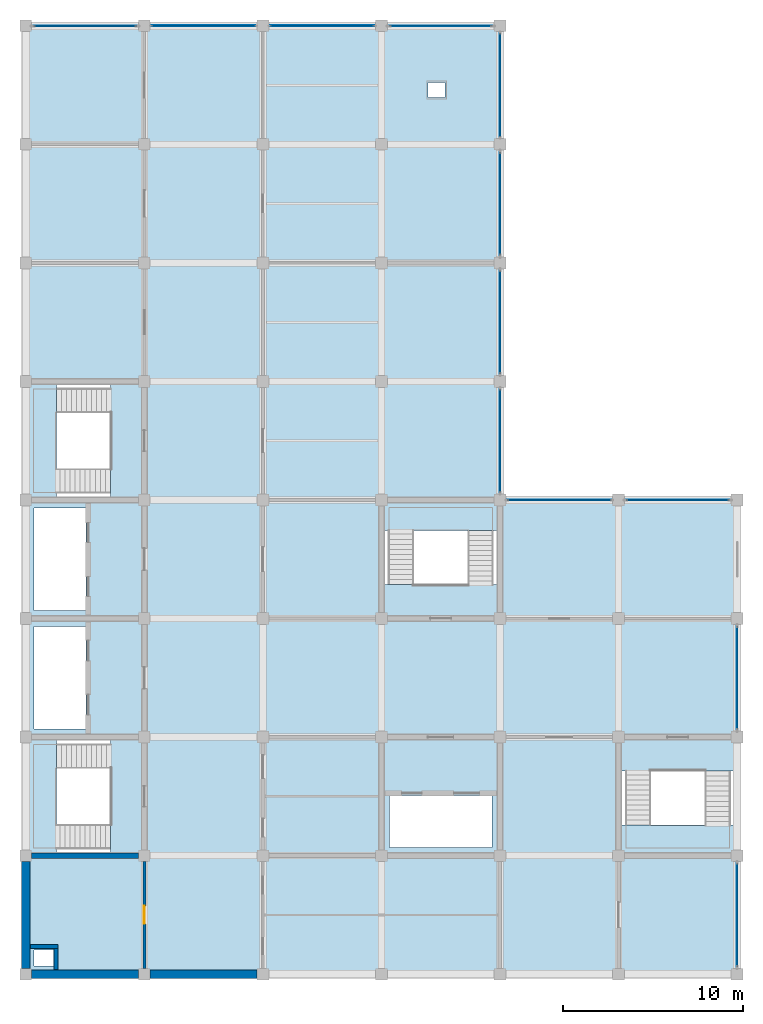
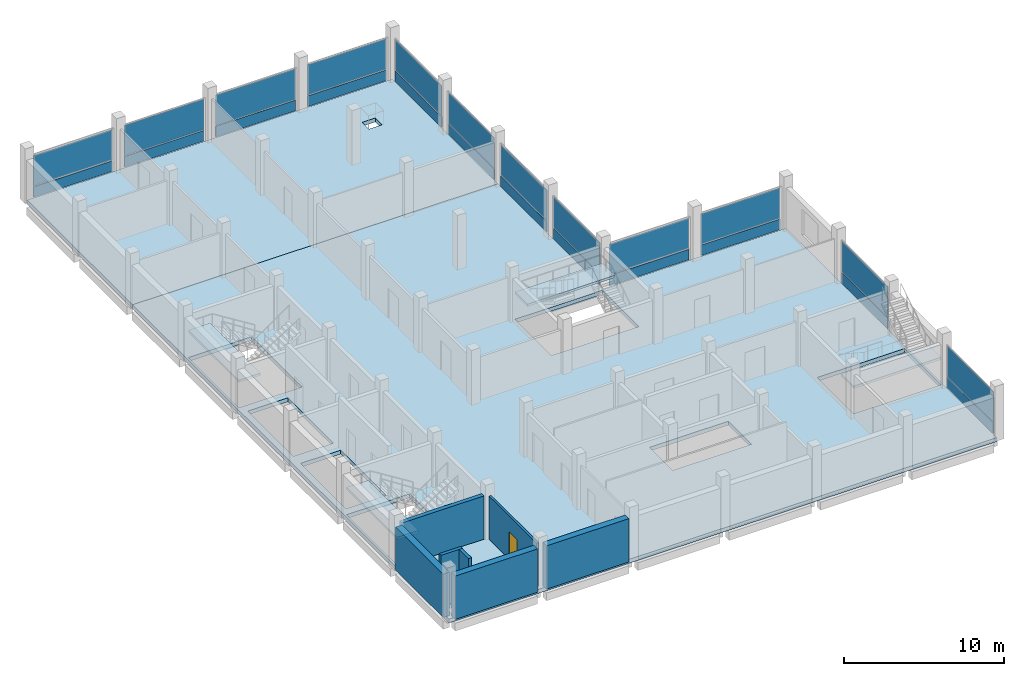
# One storey, part 5 of 9: 24 plates, 7 walls, 6 slabs, 1 door, 1 opening, 16 elements without a shape of their own.
"""IFC4 building model written with IfcOpenShell, lengths in metres."""

from ifc_helpers import new_model, si_unit, direction, frame, frame_2d, origin, origin_2d, place, context, subcontext, project, spatial, polyline, rectangle, outline, extrude, material, layer, layer_set, type_object, element, fill, aggregate, save


model = new_model("IFC4")

# Units and contexts
model_context = context("Model", 3, precision=1e-05, world=origin(), true_north=direction((0.0, 1.0)))
body_context = subcontext(model_context, "Body", "Model", "MODEL_VIEW")
ifc_project = project(units=[si_unit("LENGTHUNIT", "METRE"), si_unit("AREAUNIT", "SQUARE_METRE"), si_unit("VOLUMEUNIT", "CUBIC_METRE"), si_unit("PLANEANGLEUNIT", "RADIAN"), si_unit("MASSUNIT", "GRAM", prefix="KILO")], contexts=[model_context])

# Site, building, storey
site_placement = place(None, origin())
site = spatial("IfcSite", under=ifc_project, at=site_placement, CompositionType="ELEMENT")
building_placement = place(site_placement, origin())
building = spatial("IfcBuilding", under=site, at=building_placement, Name="Rusizi Kubbe Research Institute", CompositionType="ELEMENT")
storey_placement = place(building_placement, frame((0.0, 0.0, 60.60009765625)))
storey = spatial("IfcBuildingStorey", under=building, at=storey_placement, Name="L14", CompositionType="ELEMENT", Elevation=60.60009765625)

# Curtain wall, plate
ifc_material_1 = material(Name="Thermally Broken Aluminium and Low-E Glazing", Category="aluminium")
curtain_wall_type = type_object("IfcCurtainWallType", Name="CW-16", PredefinedType="NOTDEFINED", material=ifc_material_1)
curtain_wall_1_placement = place(storey_placement, origin())
curtain_wall_1 = element("IfcCurtainWall", 1, at=curtain_wall_1_placement, inside=storey, type_object=curtain_wall_type, Name="Unitised Facade Curtain Wall CW-L14-V-04-06", PredefinedType="NOTDEFINED")
ifc_material_2 = material(Name="Double Low-E Solar Control Insulated Glass", Category="glass")
ifc_layer_1 = layer(ifc_material_2, 0.02392578125)
ifc_layer_set_1 = layer_set([ifc_layer_1], Name="Double Low-E Solar Control Insulated Glass")
plate_type_1 = type_object("IfcPlateType", Name="GL-01", PredefinedType="CURTAIN_PANEL", material=ifc_layer_set_1)
plate_1_placement = place(storey_placement, frame((26.39990234375, 42.89990234375, 0.9296875), z_axis=(0.0, 0.0, 1.0), x_axis=(0.0, 1.0, 0.0)))
plate_1 = element("IfcPlate", 2, at=plate_1_placement, type_object=plate_type_1, Name="CW-16 panel 1.2", PredefinedType="CURTAIN_PANEL", context=body_context, shape_type="SweptSolid", body=[
    extrude(rectangle(XDim=5.739990234375, YDim=0.02392578125, at=origin_2d()), origin(), (0.0, 0.0, 1.0), 2.320068359375),
])

curtain_wall_2_placement = place(storey_placement, origin())
curtain_wall_2 = element("IfcCurtainWall", 3, at=curtain_wall_2_placement, inside=storey, type_object=curtain_wall_type, Name="Unitised Facade Curtain Wall CW-L14-H-03-08", PredefinedType="NOTDEFINED")
ifc_material_3 = material(Name="Double Low-E Solar Control Insulated Glass", Category="glass")
ifc_layer_2 = layer(ifc_material_3, 0.028076171875)
ifc_layer_set_2 = layer_set([ifc_layer_2], Name="Double Low-E Solar Control Insulated Glass")
plate_type_2 = type_object("IfcPlateType", Name="GL-02", PredefinedType="CURTAIN_PANEL", material=ifc_layer_set_2)
plate_2_placement = place(storey_placement, frame((23.10009765625, 52.800048828125, 0.9296875), z_axis=(0.0, 0.0, 1.0), x_axis=(1.0, 0.0, 0.0)))
plate_2 = element("IfcPlate", 4, at=plate_2_placement, type_object=plate_type_2, Name="CW-16 panel 1.2", PredefinedType="CURTAIN_PANEL", context=body_context, shape_type="SweptSolid", body=[
    extrude(rectangle(XDim=5.72998046875, YDim=0.028076171875, at=origin_2d()), origin(), (0.0, 0.0, 1.0), 2.320068359375),
])

curtain_wall_3_placement = place(storey_placement, origin())
curtain_wall_3 = element("IfcCurtainWall", 5, at=curtain_wall_3_placement, inside=storey, type_object=curtain_wall_type, Name="Unitised Facade Curtain Wall CW-L14-V-04-07", PredefinedType="NOTDEFINED")
ifc_material_4 = material(Name="Double Low-E Solar Control Insulated Glass", Category="glass")
ifc_layer_3 = layer(ifc_material_4, 0.031982421875)
ifc_layer_set_3 = layer_set([ifc_layer_3], Name="Double Low-E Solar Control Insulated Glass")
plate_type_3 = type_object("IfcPlateType", Name="GL-03", PredefinedType="CURTAIN_PANEL", material=ifc_layer_set_3)
plate_3_placement = place(storey_placement, frame((26.39990234375, 49.5, 0.932373046875), z_axis=(0.0, 0.0, 1.0), x_axis=(0.0, 1.0, 0.0)))
plate_3 = element("IfcPlate", 6, at=plate_3_placement, type_object=plate_type_3, Name="CW-16 panel 1.2", PredefinedType="CURTAIN_PANEL", context=body_context, shape_type="SweptSolid", body=[
    extrude(rectangle(XDim=5.77001953125, YDim=0.031982421875, at=origin_2d()), origin(), (0.0, 0.0, 1.0), 2.3125),
])

curtain_wall_4_placement = place(storey_placement, origin())
curtain_wall_4 = element("IfcCurtainWall", 7, at=curtain_wall_4_placement, inside=storey, type_object=curtain_wall_type, Name="Unitised Facade Curtain Wall CW-L14-H-00-08", PredefinedType="NOTDEFINED")
ifc_material_5 = material(Name="Double Low-E Solar Control Insulated Glass", Category="glass")
ifc_layer_4 = layer(ifc_material_5, 0.035888671875)
ifc_layer_set_4 = layer_set([ifc_layer_4], Name="Double Low-E Solar Control Insulated Glass")
plate_type_4 = type_object("IfcPlateType", Name="GL-04", PredefinedType="CURTAIN_PANEL", material=ifc_layer_set_4)
plate_4_placement = place(storey_placement, frame((3.300048828125, 52.800048828125, 0.93505859375), z_axis=(0.0, 0.0, 1.0), x_axis=(1.0, 0.0, 0.0)))
plate_4 = element("IfcPlate", 8, at=plate_4_placement, type_object=plate_type_4, Name="CW-16 panel 1.2", PredefinedType="CURTAIN_PANEL", context=body_context, shape_type="SweptSolid", body=[
    extrude(rectangle(XDim=5.72998046875, YDim=0.035888671875, at=origin_2d()), origin(), (0.0, 0.0, 1.0), 2.304931640625),
])

curtain_wall_5_placement = place(storey_placement, origin())
curtain_wall_5 = element("IfcCurtainWall", 9, at=curtain_wall_5_placement, inside=storey, type_object=curtain_wall_type, Name="Unitised Facade Curtain Wall CW-L14-H-04-04", PredefinedType="NOTDEFINED")
plate_5_placement = place(storey_placement, frame((29.699951171875, 26.39990234375, 0.93505859375), z_axis=(0.0, 0.0, 1.0), x_axis=(1.0, 0.0, 0.0)))
plate_5 = element("IfcPlate", 10, at=plate_5_placement, type_object=plate_type_4, Name="CW-16 panel 1.2", PredefinedType="CURTAIN_PANEL", context=body_context, shape_type="SweptSolid", body=[
    extrude(rectangle(XDim=5.77001953125, YDim=0.035888671875, at=origin_2d()), origin(), (0.0, 0.0, 1.0), 2.304931640625),
])

curtain_wall_6_placement = place(storey_placement, origin())
curtain_wall_6 = element("IfcCurtainWall", 11, at=curtain_wall_6_placement, inside=storey, type_object=curtain_wall_type, Name="Unitised Facade Curtain Wall CW-L14-H-01-08", PredefinedType="NOTDEFINED")
ifc_material_6 = material(Name="Double Low-E Solar Control Insulated Glass", Category="glass")
ifc_layer_5 = layer(ifc_material_6, 0.0400390625)
ifc_layer_set_5 = layer_set([ifc_layer_5], Name="Double Low-E Solar Control Insulated Glass")
plate_type_5 = type_object("IfcPlateType", Name="GL-05", PredefinedType="CURTAIN_PANEL", material=ifc_layer_set_5)
plate_6_placement = place(storey_placement, frame((9.89990234375, 52.800048828125, 0.9296875), z_axis=(0.0, 0.0, 1.0), x_axis=(1.0, 0.0, 0.0)))
plate_6 = element("IfcPlate", 12, at=plate_6_placement, type_object=plate_type_5, Name="CW-16 panel 1.2", PredefinedType="CURTAIN_PANEL", context=body_context, shape_type="SweptSolid", body=[
    extrude(rectangle(XDim=5.77001953125, YDim=0.0400390625, at=origin_2d()), origin(), (0.0, 0.0, 1.0), 2.320068359375),
])

curtain_wall_7_placement = place(storey_placement, origin())
curtain_wall_7 = element("IfcCurtainWall", 13, at=curtain_wall_7_placement, inside=storey, type_object=curtain_wall_type, Name="Unitised Facade Curtain Wall CW-L14-V-06-00", PredefinedType="NOTDEFINED")
plate_7_placement = place(storey_placement, frame((39.60009765625, 3.300048828125, 0.9296875), z_axis=(0.0, 0.0, 1.0), x_axis=(0.0, 1.0, 0.0)))
plate_7 = element("IfcPlate", 14, at=plate_7_placement, type_object=plate_type_5, Name="CW-16 panel 1.2", PredefinedType="CURTAIN_PANEL", context=body_context, shape_type="SweptSolid", body=[
    extrude(rectangle(XDim=5.760009765625, YDim=0.0400390625, at=origin_2d()), origin(), (0.0, 0.0, 1.0), 2.320068359375),
])

curtain_wall_8_placement = place(storey_placement, origin())
curtain_wall_8 = element("IfcCurtainWall", 15, at=curtain_wall_8_placement, inside=storey, type_object=curtain_wall_type, Name="Unitised Facade Curtain Wall CW-L14-H-02-08", PredefinedType="NOTDEFINED")
ifc_material_7 = material(Name="Double Low-E Solar Control Insulated Glass", Category="glass")
ifc_layer_6 = layer(ifc_material_7, 0.0439453125)
ifc_layer_set_6 = layer_set([ifc_layer_6], Name="Double Low-E Solar Control Insulated Glass")
plate_type_6 = type_object("IfcPlateType", Name="GL-06", PredefinedType="CURTAIN_PANEL", material=ifc_layer_set_6)
plate_8_placement = place(storey_placement, frame((16.5, 52.800048828125, 0.9296875), z_axis=(0.0, 0.0, 1.0), x_axis=(1.0, 0.0, 0.0)))
plate_8 = element("IfcPlate", 16, at=plate_8_placement, type_object=plate_type_6, Name="CW-16 panel 1.2", PredefinedType="CURTAIN_PANEL", context=body_context, shape_type="SweptSolid", body=[
    extrude(rectangle(XDim=5.77001953125, YDim=0.0439453125, at=origin_2d()), origin(), (0.0, 0.0, 1.0), 2.320068359375),
])

curtain_wall_9_placement = place(storey_placement, origin())
curtain_wall_9 = element("IfcCurtainWall", 17, at=curtain_wall_9_placement, inside=storey, type_object=curtain_wall_type, Name="Unitised Facade Curtain Wall CW-L14-V-06-02", PredefinedType="NOTDEFINED")
plate_9_placement = place(storey_placement, frame((39.60009765625, 16.5, 0.9296875), z_axis=(0.0, 0.0, 1.0), x_axis=(0.0, 1.0, 0.0)))
plate_9 = element("IfcPlate", 18, at=plate_9_placement, type_object=plate_type_6, Name="CW-16 panel 1.2", PredefinedType="CURTAIN_PANEL", context=body_context, shape_type="SweptSolid", body=[
    extrude(rectangle(XDim=5.75, YDim=0.0439453125, at=origin_2d()), origin(), (0.0, 0.0, 1.0), 2.320068359375),
])

curtain_wall_10_placement = place(storey_placement, origin())
curtain_wall_10 = element("IfcCurtainWall", 19, at=curtain_wall_10_placement, inside=storey, type_object=curtain_wall_type, Name="Unitised Facade Curtain Wall CW-L14-V-04-04", PredefinedType="NOTDEFINED")
ifc_material_8 = material(Name="Double Low-E Solar Control Insulated Glass", Category="glass")
ifc_layer_7 = layer(ifc_material_8, 0.048095703125)
ifc_layer_set_7 = layer_set([ifc_layer_7], Name="Double Low-E Solar Control Insulated Glass")
plate_type_7 = type_object("IfcPlateType", Name="GL-07", PredefinedType="CURTAIN_PANEL", material=ifc_layer_set_7)
plate_10_placement = place(storey_placement, frame((26.39990234375, 29.699951171875, 0.932373046875), z_axis=(0.0, 0.0, 1.0), x_axis=(0.0, 1.0, 0.0)))
plate_10 = element("IfcPlate", 20, at=plate_10_placement, type_object=plate_type_7, Name="CW-16 panel 1.2", PredefinedType="CURTAIN_PANEL", context=body_context, shape_type="SweptSolid", body=[
    extrude(rectangle(XDim=5.760009765625, YDim=0.048095703125, at=origin_2d()), origin(), (0.0, 0.0, 1.0), 2.3125),
])

curtain_wall_11_placement = place(storey_placement, origin())
curtain_wall_11 = element("IfcCurtainWall", 21, at=curtain_wall_11_placement, inside=storey, type_object=curtain_wall_type, Name="Unitised Facade Curtain Wall CW-L14-H-05-04", PredefinedType="NOTDEFINED")
plate_11_placement = place(storey_placement, frame((36.300048828125, 26.39990234375, 0.932373046875), z_axis=(0.0, 0.0, 1.0), x_axis=(1.0, 0.0, 0.0)))
plate_11 = element("IfcPlate", 22, at=plate_11_placement, type_object=plate_type_7, Name="CW-16 panel 1.2", PredefinedType="CURTAIN_PANEL", context=body_context, shape_type="SweptSolid", body=[
    extrude(rectangle(XDim=5.739990234375, YDim=0.048095703125, at=origin_2d()), origin(), (0.0, 0.0, 1.0), 2.3125),
])

curtain_wall_12_placement = place(storey_placement, origin())
curtain_wall_12 = element("IfcCurtainWall", 23, at=curtain_wall_12_placement, inside=storey, type_object=curtain_wall_type, Name="Unitised Facade Curtain Wall CW-L14-V-04-05", PredefinedType="NOTDEFINED")
ifc_material_9 = material(Name="Double Low-E Solar Control Insulated Glass", Category="glass")
ifc_layer_8 = layer(ifc_material_9, 0.052001953125)
ifc_layer_set_8 = layer_set([ifc_layer_8], Name="Double Low-E Solar Control Insulated Glass")
plate_type_8 = type_object("IfcPlateType", Name="GL-08", PredefinedType="CURTAIN_PANEL", material=ifc_layer_set_8)
plate_12_placement = place(storey_placement, frame((26.39990234375, 36.300048828125, 0.93505859375), z_axis=(0.0, 0.0, 1.0), x_axis=(0.0, 1.0, 0.0)))
plate_12 = element("IfcPlate", 24, at=plate_12_placement, type_object=plate_type_8, Name="CW-16 panel 1.2", PredefinedType="CURTAIN_PANEL", context=body_context, shape_type="SweptSolid", body=[
    extrude(rectangle(XDim=5.75, YDim=0.052001953125, at=origin_2d()), origin(), (0.0, 0.0, 1.0), 2.304931640625),
])

# Slabs
ifc_material_10 = material(Name="Concrete C40/50", Category="concrete")
ifc_layer_9 = layer(ifc_material_10, 0.300048828125)
ifc_layer_set_9 = layer_set([ifc_layer_9], Name="Concrete C40/50")
slab_type_1 = type_object("IfcSlabType", Name="SL-F300", PredefinedType="FLOOR", material=ifc_layer_set_9)
slab_1_placement = place(storey_placement, frame((0.0, 0.0, -0.300048828125)))
element("IfcSlab", 25, at=slab_1_placement, inside=storey, type_object=slab_type_1, Name="Structural Slab L14 CORE", PredefinedType="FLOOR", context=body_context, shape_type="SweptSolid", body=[
    extrude(outline(polyline([(0.0, 33.0), (0.0, 39.60009765625), (6.60009765625, 39.60009765625), (13.199951171875, 39.60009765625), (19.800048828125, 39.60009765625), (26.39990234375, 39.60009765625), (26.39990234375, 33.0), (26.39990234375, 26.39990234375), (33.0, 26.39990234375), (39.60009765625, 26.39990234375), (39.60009765625, 19.800048828125), (39.60009765625, 13.199951171875), (39.60009765625, 6.60009765625), (39.60009765625, 0.0), (33.0, 0.0), (26.39990234375, 0.0), (19.800048828125, 0.0), (13.199951171875, 0.0), (6.60009765625, 0.0), (0.0, 0.0), (0.0, 6.60009765625), (0.0, 13.199951171875), (0.0, 19.800048828125), (0.0, 26.39990234375), (0.0, 33.0)]), holes=[polyline([(0.449951171875, 1.35009765625), (0.449951171875, 0.449951171875), (1.550048828125, 0.449951171875), (1.550048828125, 1.35009765625), (0.449951171875, 1.35009765625)]), polyline([(20.25, 9.949951171875), (20.25, 7.050048828125), (25.949951171875, 7.050048828125), (25.949951171875, 9.949951171875), (20.25, 9.949951171875)]), polyline([(33.139892578125, 11.300048828125), (33.139892578125, 6.739990234375), (39.4599609375, 6.739990234375), (39.4599609375, 11.300048828125), (33.139892578125, 11.300048828125)]), polyline([(0.139892578125, 13.06005859375), (0.139892578125, 6.739990234375), (4.699951171875, 6.739990234375), (4.699951171875, 13.06005859375), (0.139892578125, 13.06005859375)]), polyline([(0.449951171875, 19.35009765625), (0.449951171875, 13.64990234375), (3.35009765625, 13.64990234375), (3.35009765625, 19.35009765625), (0.449951171875, 19.35009765625)]), polyline([(0.449951171875, 25.949951171875), (0.449951171875, 20.25), (3.35009765625, 20.25), (3.35009765625, 25.949951171875), (0.449951171875, 25.949951171875)]), polyline([(19.93994140625, 26.260009765625), (19.93994140625, 21.699951171875), (26.260009765625, 21.699951171875), (26.260009765625, 26.260009765625), (19.93994140625, 26.260009765625)]), polyline([(0.139892578125, 32.860107421875), (0.139892578125, 26.5400390625), (4.699951171875, 26.5400390625), (4.699951171875, 32.860107421875), (0.139892578125, 32.860107421875)])]), origin(), (0.0, 0.0, 1.0), 0.300048828125),
])
slab_2_placement = place(storey_placement, frame((0.0, 0.0, -0.300048828125)))
element("IfcSlab", 26, at=slab_2_placement, inside=storey, type_object=slab_type_1, Name="Structural Slab L14 NORTHA", PredefinedType="FLOOR", context=body_context, shape_type="SweptSolid", body=[
    extrude(outline(polyline([(19.800048828125, 39.60009765625), (13.199951171875, 39.60009765625), (6.60009765625, 39.60009765625), (0.0, 39.60009765625), (0.0, 46.199951171875), (0.0, 52.800048828125), (6.60009765625, 52.800048828125), (13.199951171875, 52.800048828125), (19.800048828125, 52.800048828125), (26.39990234375, 52.800048828125), (26.39990234375, 46.199951171875), (26.39990234375, 39.60009765625), (19.800048828125, 39.60009765625)]), holes=[polyline([(23.35009765625, 49.64990234375), (22.39990234375, 49.64990234375), (22.39990234375, 48.800048828125), (23.35009765625, 48.800048828125), (23.35009765625, 49.64990234375)])]), origin(), (0.0, 0.0, 1.0), 0.300048828125),
])

# Stair, slab
ifc_material_11 = material(Name="Concrete C40/50", Category="concrete")
stair_type_1 = type_object("IfcStairType", Name="ST-H420A", PredefinedType="HALF_TURN_STAIR", material=ifc_material_11)
stair_1_placement = place(storey_placement, origin())
stair_1 = element("IfcStair", 27, at=stair_1_placement, inside=storey, type_object=stair_type_1, Name="Protected Exit Stair ST1 (L14)", PredefinedType="HALF_TURN_STAIR")
ifc_material_12 = material(Name="Concrete C40/50", Category="concrete")
ifc_layer_10 = layer(ifc_material_12, 0.179931640625)
ifc_layer_set_10 = layer_set([ifc_layer_10], Name="Concrete C40/50")
slab_type_2 = type_object("IfcSlabType", Name="SL-L180", PredefinedType="LANDING", material=ifc_layer_set_10)
slab_3_placement = place(storey_placement, frame((0.0, 0.0, 1.919921875)))
slab_3 = element("IfcSlab", 28, at=slab_3_placement, type_object=slab_type_2, Name="ST1 landing 1", PredefinedType="LANDING", context=body_context, shape_type="SweptSolid", body=[
    extrude(outline(polyline([(1.7060546875, 13.06005859375), (0.139892578125, 13.06005859375), (0.139892578125, 6.739990234375), (1.7060546875, 6.739990234375), (1.7060546875, 13.06005859375)])), origin(), (0.0, 0.0, 1.0), 0.179931640625),
])
aggregate(stair_1, [slab_3])

stair_2_placement = place(storey_placement, origin())
stair_2 = element("IfcStair", 29, at=stair_2_placement, inside=storey, type_object=stair_type_1, Name="Protected Exit Stair ST2 (L14)", PredefinedType="HALF_TURN_STAIR")
slab_4_placement = place(storey_placement, frame((0.0, 0.0, 1.919921875)))
slab_4 = element("IfcSlab", 30, at=slab_4_placement, type_object=slab_type_2, Name="ST2 landing 1", PredefinedType="LANDING", context=body_context, shape_type="SweptSolid", body=[
    extrude(outline(polyline([(1.7060546875, 32.860107421875), (0.139892578125, 32.860107421875), (0.139892578125, 26.5400390625), (1.7060546875, 26.5400390625), (1.7060546875, 32.860107421875)])), origin(), (0.0, 0.0, 1.0), 0.179931640625),
])
aggregate(stair_2, [slab_4])

ifc_material_13 = material(Name="Concrete C40/50", Category="concrete")
stair_type_2 = type_object("IfcStairType", Name="ST-H420B", PredefinedType="HALF_TURN_STAIR", material=ifc_material_13)
stair_3_placement = place(storey_placement, origin())
stair_3 = element("IfcStair", 31, at=stair_3_placement, inside=storey, type_object=stair_type_2, Name="Protected Exit Stair ST3 (L14)", PredefinedType="HALF_TURN_STAIR")
slab_5_placement = place(storey_placement, frame((0.0, 0.0, 1.919921875)))
slab_5 = element("IfcSlab", 32, at=slab_5_placement, type_object=slab_type_2, Name="ST3 landing 1", PredefinedType="LANDING", context=body_context, shape_type="SweptSolid", body=[
    extrude(outline(polyline([(26.260009765625, 24.694091796875), (26.260009765625, 26.260009765625), (19.93994140625, 26.260009765625), (19.93994140625, 24.694091796875), (26.260009765625, 24.694091796875)])), origin(), (0.0, 0.0, 1.0), 0.179931640625),
])
aggregate(stair_3, [slab_5])

stair_4_placement = place(storey_placement, origin())
stair_4 = element("IfcStair", 33, at=stair_4_placement, inside=storey, type_object=stair_type_2, Name="Protected Exit Stair ST4 (L14)", PredefinedType="HALF_TURN_STAIR")
slab_6_placement = place(storey_placement, frame((0.0, 0.0, 1.919921875)))
slab_6 = element("IfcSlab", 34, at=slab_6_placement, type_object=slab_type_2, Name="ST4 landing 1", PredefinedType="LANDING", context=body_context, shape_type="SweptSolid", body=[
    extrude(outline(polyline([(33.139892578125, 8.305908203125), (33.139892578125, 6.739990234375), (39.4599609375, 6.739990234375), (39.4599609375, 8.305908203125), (33.139892578125, 8.305908203125)])), origin(), (0.0, 0.0, 1.0), 0.179931640625),
])
aggregate(stair_4, [slab_6])

# Plate
ifc_material_14 = material(Name="Ceramic-Frit Insulated Spandrel Panel", Category="glass")
ifc_layer_11 = layer(ifc_material_14, 0.05810546875)
ifc_layer_set_11 = layer_set([ifc_layer_11], Name="Ceramic-Frit Insulated Spandrel Panel")
plate_type_9 = type_object("IfcPlateType", Name="SP-01", PredefinedType="CURTAIN_PANEL", material=ifc_layer_set_11)
plate_13_placement = place(storey_placement, frame((9.89990234375, 52.800048828125, 0.059814453125), z_axis=(0.0, 0.0, 1.0), x_axis=(1.0, 0.0, 0.0)))
plate_13 = element("IfcPlate", 35, at=plate_13_placement, type_object=plate_type_9, Name="CW-16 panel 1.1", PredefinedType="CURTAIN_PANEL", context=body_context, shape_type="SweptSolid", body=[
    extrude(rectangle(XDim=5.77001953125, YDim=0.05810546875, at=origin_2d()), origin(), (0.0, 0.0, 1.0), 0.81005859375),
])

aggregate(curtain_wall_6, [plate_13, plate_6])

plate_14_placement = place(storey_placement, frame((26.39990234375, 42.89990234375, 0.059814453125), z_axis=(0.0, 0.0, 1.0), x_axis=(0.0, 1.0, 0.0)))
plate_14 = element("IfcPlate", 36, at=plate_14_placement, type_object=plate_type_9, Name="CW-16 panel 1.1", PredefinedType="CURTAIN_PANEL", context=body_context, shape_type="SweptSolid", body=[
    extrude(rectangle(XDim=5.739990234375, YDim=0.05810546875, at=origin_2d()), origin(), (0.0, 0.0, 1.0), 0.81005859375),
])

aggregate(curtain_wall_1, [plate_14, plate_1])

plate_15_placement = place(storey_placement, frame((39.60009765625, 3.300048828125, 0.059814453125), z_axis=(0.0, 0.0, 1.0), x_axis=(0.0, 1.0, 0.0)))
plate_15 = element("IfcPlate", 37, at=plate_15_placement, type_object=plate_type_9, Name="CW-16 panel 1.1", PredefinedType="CURTAIN_PANEL", context=body_context, shape_type="SweptSolid", body=[
    extrude(rectangle(XDim=5.760009765625, YDim=0.05810546875, at=origin_2d()), origin(), (0.0, 0.0, 1.0), 0.81005859375),
])

aggregate(curtain_wall_7, [plate_15, plate_7])

ifc_material_15 = material(Name="Ceramic-Frit Insulated Spandrel Panel", Category="glass")
ifc_layer_12 = layer(ifc_material_15, 0.06396484375)
ifc_layer_set_12 = layer_set([ifc_layer_12], Name="Ceramic-Frit Insulated Spandrel Panel")
plate_type_10 = type_object("IfcPlateType", Name="SP-02", PredefinedType="CURTAIN_PANEL", material=ifc_layer_set_12)
plate_16_placement = place(storey_placement, frame((16.5, 52.800048828125, 0.059814453125), z_axis=(0.0, 0.0, 1.0), x_axis=(1.0, 0.0, 0.0)))
plate_16 = element("IfcPlate", 38, at=plate_16_placement, type_object=plate_type_10, Name="CW-16 panel 1.1", PredefinedType="CURTAIN_PANEL", context=body_context, shape_type="SweptSolid", body=[
    extrude(rectangle(XDim=5.77001953125, YDim=0.06396484375, at=origin_2d()), origin(), (0.0, 0.0, 1.0), 0.81005859375),
])

aggregate(curtain_wall_8, [plate_16, plate_8])

plate_17_placement = place(storey_placement, frame((23.10009765625, 52.800048828125, 0.059814453125), z_axis=(0.0, 0.0, 1.0), x_axis=(1.0, 0.0, 0.0)))
plate_17 = element("IfcPlate", 39, at=plate_17_placement, type_object=plate_type_10, Name="CW-16 panel 1.1", PredefinedType="CURTAIN_PANEL", context=body_context, shape_type="SweptSolid", body=[
    extrude(rectangle(XDim=5.72998046875, YDim=0.06396484375, at=origin_2d()), origin(), (0.0, 0.0, 1.0), 0.81005859375),
])

aggregate(curtain_wall_2, [plate_17, plate_2])

plate_18_placement = place(storey_placement, frame((39.60009765625, 16.5, 0.059814453125), z_axis=(0.0, 0.0, 1.0), x_axis=(0.0, 1.0, 0.0)))
plate_18 = element("IfcPlate", 40, at=plate_18_placement, type_object=plate_type_10, Name="CW-16 panel 1.1", PredefinedType="CURTAIN_PANEL", context=body_context, shape_type="SweptSolid", body=[
    extrude(rectangle(XDim=5.75, YDim=0.06396484375, at=origin_2d()), origin(), (0.0, 0.0, 1.0), 0.81005859375),
])

aggregate(curtain_wall_9, [plate_18, plate_9])

ifc_material_16 = material(Name="Ceramic-Frit Insulated Spandrel Panel", Category="glass")
ifc_layer_13 = layer(ifc_material_16, 0.070068359375)
ifc_layer_set_13 = layer_set([ifc_layer_13], Name="Ceramic-Frit Insulated Spandrel Panel")
plate_type_11 = type_object("IfcPlateType", Name="SP-03", PredefinedType="CURTAIN_PANEL", material=ifc_layer_set_13)
plate_19_placement = place(storey_placement, frame((26.39990234375, 29.699951171875, 0.06494140625), z_axis=(0.0, 0.0, 1.0), x_axis=(0.0, 1.0, 0.0)))
plate_19 = element("IfcPlate", 41, at=plate_19_placement, type_object=plate_type_11, Name="CW-16 panel 1.1", PredefinedType="CURTAIN_PANEL", context=body_context, shape_type="SweptSolid", body=[
    extrude(rectangle(XDim=5.760009765625, YDim=0.070068359375, at=origin_2d()), origin(), (0.0, 0.0, 1.0), 0.802490234375),
])

aggregate(curtain_wall_10, [plate_19, plate_10])

plate_20_placement = place(storey_placement, frame((26.39990234375, 49.5, 0.06494140625), z_axis=(0.0, 0.0, 1.0), x_axis=(0.0, 1.0, 0.0)))
plate_20 = element("IfcPlate", 42, at=plate_20_placement, type_object=plate_type_11, Name="CW-16 panel 1.1", PredefinedType="CURTAIN_PANEL", context=body_context, shape_type="SweptSolid", body=[
    extrude(rectangle(XDim=5.77001953125, YDim=0.070068359375, at=origin_2d()), origin(), (0.0, 0.0, 1.0), 0.802490234375),
])

aggregate(curtain_wall_3, [plate_20, plate_3])

plate_21_placement = place(storey_placement, frame((36.300048828125, 26.39990234375, 0.06494140625), z_axis=(0.0, 0.0, 1.0), x_axis=(1.0, 0.0, 0.0)))
plate_21 = element("IfcPlate", 43, at=plate_21_placement, type_object=plate_type_11, Name="CW-16 panel 1.1", PredefinedType="CURTAIN_PANEL", context=body_context, shape_type="SweptSolid", body=[
    extrude(rectangle(XDim=5.739990234375, YDim=0.070068359375, at=origin_2d()), origin(), (0.0, 0.0, 1.0), 0.802490234375),
])

aggregate(curtain_wall_11, [plate_21, plate_11])

ifc_material_17 = material(Name="Ceramic-Frit Insulated Spandrel Panel", Category="glass")
ifc_layer_14 = layer(ifc_material_17, 0.075927734375)
ifc_layer_set_14 = layer_set([ifc_layer_14], Name="Ceramic-Frit Insulated Spandrel Panel")
plate_type_12 = type_object("IfcPlateType", Name="SP-04", PredefinedType="CURTAIN_PANEL", material=ifc_layer_set_14)
plate_22_placement = place(storey_placement, frame((3.300048828125, 52.800048828125, 0.06982421875), z_axis=(0.0, 0.0, 1.0), x_axis=(1.0, 0.0, 0.0)))
plate_22 = element("IfcPlate", 44, at=plate_22_placement, type_object=plate_type_12, Name="CW-16 panel 1.1", PredefinedType="CURTAIN_PANEL", context=body_context, shape_type="SweptSolid", body=[
    extrude(rectangle(XDim=5.72998046875, YDim=0.075927734375, at=origin_2d()), origin(), (0.0, 0.0, 1.0), 0.794921875),
])

aggregate(curtain_wall_4, [plate_22, plate_4])

plate_23_placement = place(storey_placement, frame((26.39990234375, 36.300048828125, 0.06982421875), z_axis=(0.0, 0.0, 1.0), x_axis=(0.0, 1.0, 0.0)))
plate_23 = element("IfcPlate", 45, at=plate_23_placement, type_object=plate_type_12, Name="CW-16 panel 1.1", PredefinedType="CURTAIN_PANEL", context=body_context, shape_type="SweptSolid", body=[
    extrude(rectangle(XDim=5.75, YDim=0.075927734375, at=origin_2d()), origin(), (0.0, 0.0, 1.0), 0.794921875),
])

aggregate(curtain_wall_12, [plate_23, plate_12])

plate_24_placement = place(storey_placement, frame((29.699951171875, 26.39990234375, 0.06982421875), z_axis=(0.0, 0.0, 1.0), x_axis=(1.0, 0.0, 0.0)))
plate_24 = element("IfcPlate", 46, at=plate_24_placement, type_object=plate_type_12, Name="CW-16 panel 1.1", PredefinedType="CURTAIN_PANEL", context=body_context, shape_type="SweptSolid", body=[
    extrude(rectangle(XDim=5.77001953125, YDim=0.075927734375, at=origin_2d()), origin(), (0.0, 0.0, 1.0), 0.794921875),
])

aggregate(curtain_wall_5, [plate_24, plate_5])

# Walls
ifc_material_18 = material(Name="Concrete C40/50", Category="concrete")
ifc_layer_15 = layer(ifc_material_18, 0.294921875)
ifc_layer_set_15 = layer_set([ifc_layer_15], Name="Concrete C40/50")
wall_type_1 = type_object("IfcWallType", Name="CRW-03", PredefinedType="SHEAR", material=ifc_layer_set_15)
wall_1_placement = place(storey_placement, frame((0.324951171875, 6.60009765625, 0.0), z_axis=(0.0, 0.0, 1.0), x_axis=(1.0, 0.0, 0.0)))
element("IfcWall", 47, at=wall_1_placement, inside=storey, type_object=wall_type_1, Name="Stair Core Shear Wall ST1 L14 S", PredefinedType="SHEAR", context=body_context, shape_type="SweptSolid", body=[
    extrude(rectangle(XDim=5.949951171875, YDim=0.294921875, at=frame_2d((2.97509765625, 0.0))), origin(), (0.0, 0.0, 1.0), 3.309814453125),
])
ifc_material_19 = material(Name="Concrete Blockwork Fire Partition", Category="masonry")
ifc_layer_16 = layer(ifc_material_19, 0.22509765625)
ifc_layer_set_16 = layer_set([ifc_layer_16], Name="Concrete Blockwork Fire Partition")
wall_type_2 = type_object("IfcWallType", Name="IW-01", PredefinedType="PARTITIONING", material=ifc_layer_set_16)
wall_2_placement = place(storey_placement, frame((1.679931640625, 0.260009765625, 0.0), z_axis=(0.0, 0.0, 1.0), x_axis=(0.0, 1.0, 0.0)))
element("IfcWall", 48, at=wall_2_placement, inside=storey, type_object=wall_type_2, Name="Riser Shaft Wall E L14", PredefinedType="PARTITIONING", context=body_context, shape_type="SweptSolid", body=[
    extrude(rectangle(XDim=1.169921875, YDim=0.22509765625, at=frame_2d((0.5849609375, 0.0))), origin(), (0.0, 0.0, 1.0), 3.909912109375),
])
wall_3_placement = place(storey_placement, frame((0.260009765625, 1.550048828125, 0.0), z_axis=(0.0, 0.0, 1.0), x_axis=(1.0, 0.0, 0.0)))
element("IfcWall", 49, at=wall_3_placement, inside=storey, type_object=wall_type_2, Name="Riser Shaft Wall N L14", PredefinedType="PARTITIONING", context=body_context, shape_type="SweptSolid", body=[
    extrude(rectangle(XDim=1.5400390625, YDim=0.22509765625, at=frame_2d((0.77001953125, 0.0))), origin(), (0.0, 0.0, 1.0), 3.909912109375),
])

# Wall, opening, door
ifc_material_20 = material(Name="Fire-Rated Corridor Partition", Category="masonry")
ifc_layer_17 = layer(ifc_material_20, 0.155029296875)
ifc_layer_set_17 = layer_set([ifc_layer_17], Name="Fire-Rated Corridor Partition")
wall_type_3 = type_object("IfcWallType", Name="IW-04", PredefinedType="PARTITIONING", material=ifc_layer_set_17)
wall_4_placement = place(storey_placement, frame((6.60009765625, 0.324951171875, 0.0), z_axis=(0.0, 0.0, 1.0), x_axis=(0.0, 1.0, 0.0)))
wall_4 = element("IfcWall", 50, at=wall_4_placement, inside=storey, type_object=wall_type_3, Name="Interior Partition Wall L14 V1-0", PredefinedType="PARTITIONING", context=body_context, shape_type="SweptSolid", body=[
    extrude(rectangle(XDim=5.949951171875, YDim=0.155029296875, at=frame_2d((2.97509765625, 0.0))), origin(), (0.0, 0.0, 1.0), 3.309814453125),
])
opening_placement = place(wall_4_placement, frame((2.47509765625, 0.0, 0.0)))
opening = element("IfcOpeningElement", 51, at=opening_placement, cuts=wall_4, Name="Opening D-04", PredefinedType="OPENING", context=body_context, shape_type="SweptSolid", body=[
    extrude(rectangle(XDim=1.0, YDim=2.10009765625, at=frame_2d((0.5, 1.050048828125))), frame((0.0, 0.08740234375, 0.0), z_axis=(0.0, -1.0, 0.0), x_axis=(1.0, 0.0, 0.0)), (0.0, 0.0, 1.0), 0.175048828125),
])
ifc_material_21 = material(Name="Fire-Rated Steel Frame and Acoustic Timber Leaf", Category="wood")
door_type = type_object("IfcDoorType", Name="ID-MEP-100", OperationType="NOTDEFINED", PredefinedType="DOOR", material=ifc_material_21)
door_placement = place(opening_placement, origin())
door = element("IfcDoor", 52, at=door_placement, inside=storey, type_object=door_type, Name="Door to Service Spine Utility Riser Room (L14-MEP-01)", OperationType="SINGLE_SWING_RIGHT", OverallHeight=2.10009765625, OverallWidth=1.0, PredefinedType="DOOR", context=body_context, shape_type="SweptSolid", body=[
    extrude(rectangle(XDim=1.0, YDim=2.10009765625, at=frame_2d((0.5, 1.050048828125))), frame((0.0, 0.02490234375, 0.0), z_axis=(0.0, -1.0, 0.0), x_axis=(1.0, 0.0, 0.0)), (0.0, 0.0, 1.0), 0.050048828125),
])
fill(opening, door)

# Walls
ifc_material_22 = material(Name="Concrete C40/50", Category="concrete")
ifc_layer_18 = layer(ifc_material_22, 0.4599609375)
ifc_layer_set_18 = layer_set([ifc_layer_18], Name="Concrete C40/50")
wall_type_4 = type_object("IfcWallType", Name="PW-02", PredefinedType="SOLIDWALL", material=ifc_layer_set_18)
for number, where, z_axis, x_axis, name in (
    (53, (0.324951171875, 0.0, 0.0), (0.0, 0.0, 1.0), (1.0, 0.0, 0.0), "Blind Party Wall L14 H0-0"),
    (54, (0.0, 0.324951171875, 0.0), (0.0, 0.0, 1.0), (0.0, 1.0, 0.0), "Blind Party Wall L14 V0-0"),
    (55, (6.925048828125, 0.0, 0.0), (0.0, 0.0, 1.0), (1.0, 0.0, 0.0), "Blind Party Wall L14 H1-0"),
):
    element("IfcWall", number, at=place(storey_placement, frame(where, z_axis=z_axis, x_axis=x_axis)), inside=storey, type_object=wall_type_4, Name=name, PredefinedType="SOLIDWALL", context=body_context, shape_type="SweptSolid", body=[
        extrude(rectangle(XDim=5.949951171875, YDim=0.4599609375, at=frame_2d((2.97509765625, 0.0))), origin(), (0.0, 0.0, 1.0), 3.309814453125),
    ])

save(model, "model.ifc")
